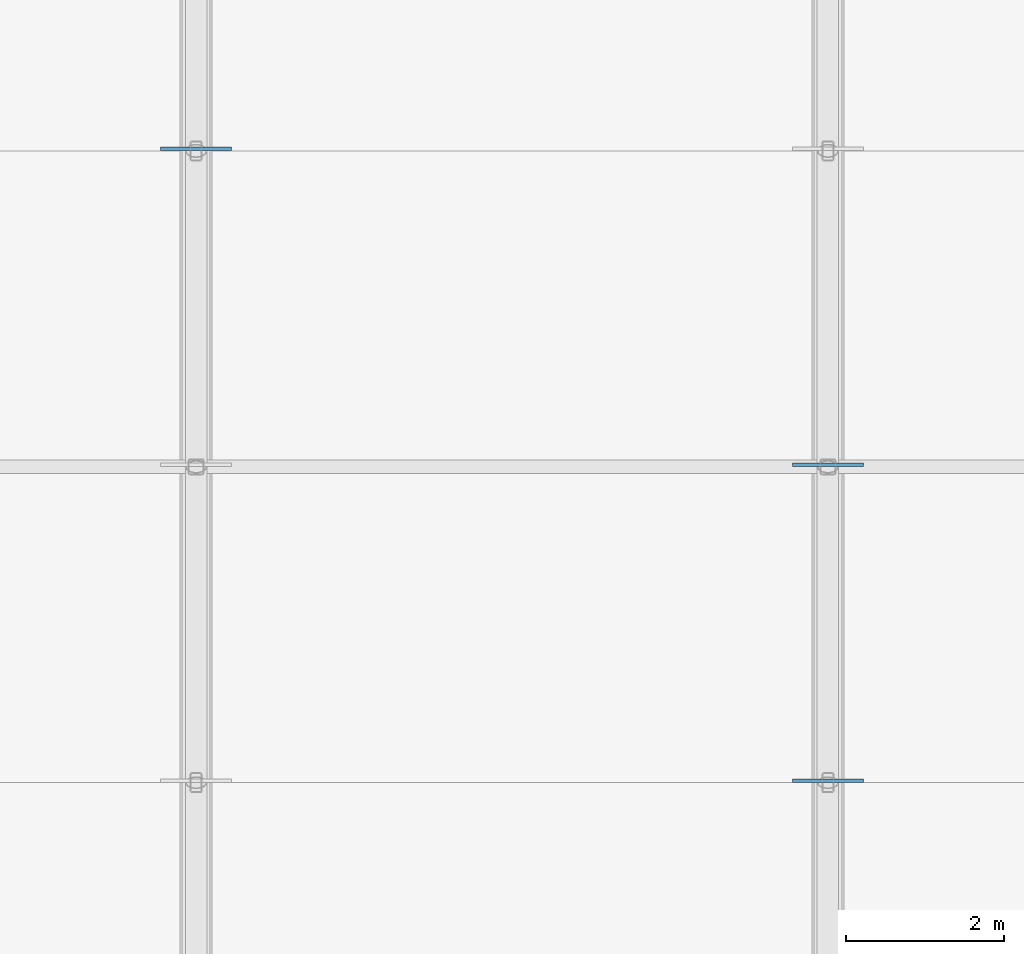
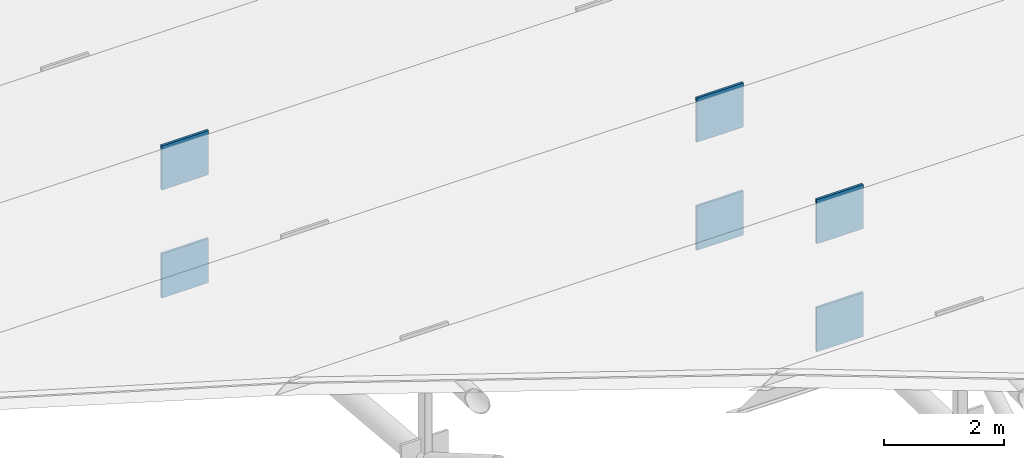
# One storey, part 83 of 98: 6 plates.
"""IFC4 building model written with IfcOpenShell, lengths in metres."""

from ifc_helpers import new_model, si_unit, direction, frame, origin, origin_2d, place, context, subcontext, project, spatial, rectangle, extrude, material, layer, layer_set, type_object, element, save


model = new_model("IFC4")

# Units and contexts
model_context = context("Model", 3, precision=1e-05, world=origin(), true_north=direction((0.0, 1.0)))
body_context = subcontext(model_context, "Body", "Model", "MODEL_VIEW")
ifc_project = project(units=[si_unit("LENGTHUNIT", "METRE"), si_unit("AREAUNIT", "SQUARE_METRE"), si_unit("VOLUMEUNIT", "CUBIC_METRE"), si_unit("PLANEANGLEUNIT", "RADIAN"), si_unit("MASSUNIT", "GRAM", prefix="KILO")], contexts=[model_context])

# Site, building, storey
site_placement = place(None, origin())
site = spatial("IfcSite", under=ifc_project, at=site_placement, CompositionType="ELEMENT")
building_placement = place(site_placement, origin())
building = spatial("IfcBuilding", under=site, at=building_placement, Name="Tlacozan Convention Centre", CompositionType="ELEMENT")
storey_placement = place(building_placement, frame((0.0, 0.0, 25.800048828125)))
storey = spatial("IfcBuildingStorey", under=building, at=storey_placement, Name="Roof", CompositionType="ELEMENT", Elevation=25.800048828125)

# Plates
ifc_material = material(Name="Steel ASTM A572 Grade 50", Category="steel")
ifc_layer = layer(ifc_material, 0.044921875)
ifc_layer_set = layer_set([ifc_layer], Name="Steel ASTM A572 Grade 50")
plate_type = type_object("IfcPlateType", Name="Arch Springing Node Gusset Plate", PredefinedType="SHEET", material=ifc_layer_set)
for number, where, z_axis, x_axis, name in (
    (1, (80.0, 106.026123046875, -4.12109375), (0.0, 0.0, 1.0), (0.0, 1.0, 0.0), "Roof Gusset Cap Plate 363"),
    (2, (80.0, 106.026123046875, -6.321044921875), (0.0, 0.0, 1.0), (0.0, 1.0, 0.0), "Roof Gusset Cap Plate 364"),
    (3, (88.0, 98.026611328125, -3.16845703125), (0.0, 0.0, 1.0), (0.0, 1.0, 0.0), "Roof Gusset Cap Plate 393"),
    (4, (88.0, 98.026611328125, -5.368408203125), (0.0, 0.0, 1.0), (0.0, 1.0, 0.0), "Roof Gusset Cap Plate 394"),
    (5, (88.0, 102.0263671875, -3.5244140625), (0.0, 0.0, 1.0), (0.0, 1.0, 0.0), "Roof Gusset Cap Plate 395"),
    (6, (88.0, 102.0263671875, -5.724609375), (0.0, 0.0, 1.0), (0.0, 1.0, 0.0), "Roof Gusset Cap Plate 396"),
):
    element("IfcPlate", number, at=place(storey_placement, frame(where, z_axis=z_axis, x_axis=x_axis)), inside=storey, type_object=plate_type, Name=name, PredefinedType="SHEET", context=body_context, shape_type="SweptSolid", body=[
        extrude(rectangle(XDim=0.044921875, YDim=0.89990234375, at=origin_2d()), origin(), (0.0, 0.0, 1.0), 0.89990234375),
    ])

save(model, "model.ifc")
